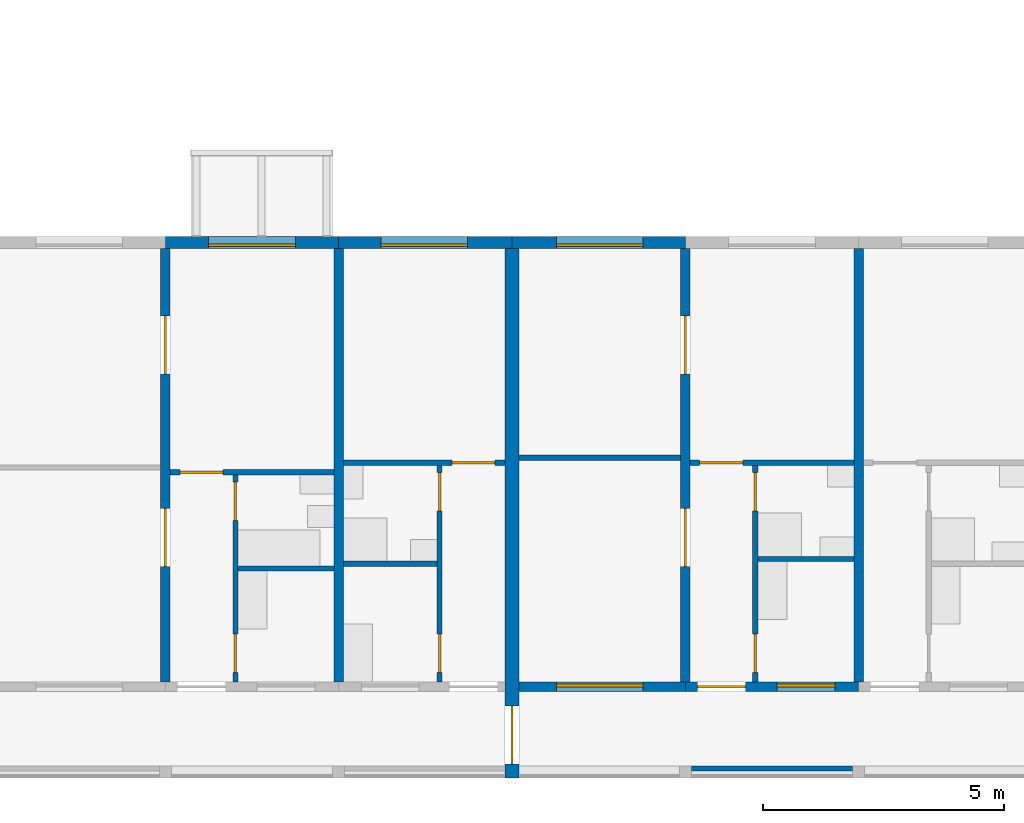
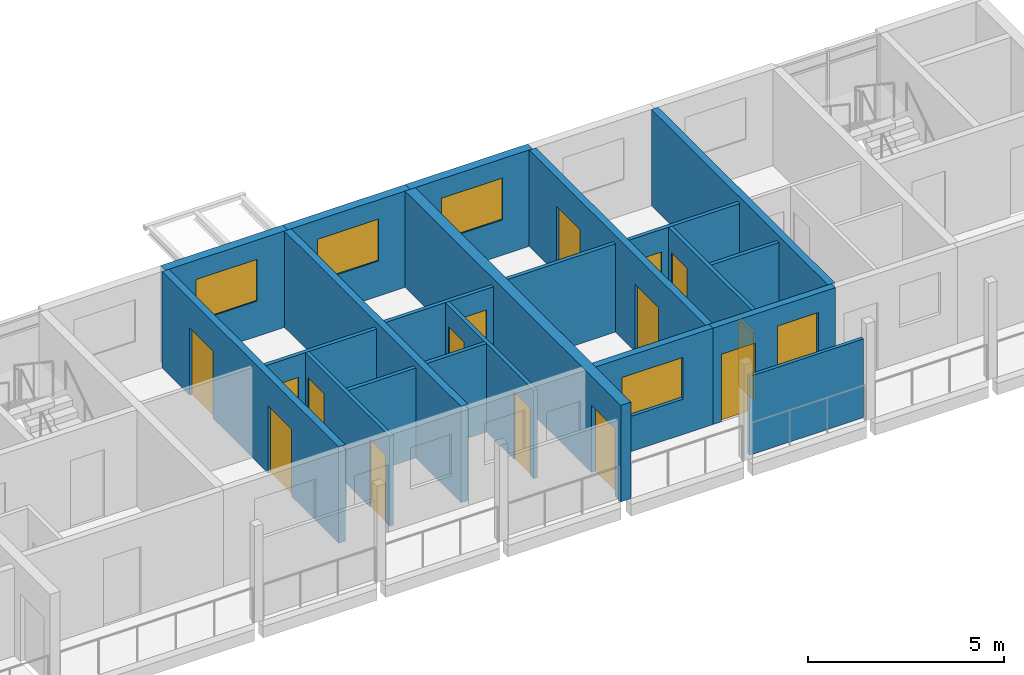
# One storey, part 33 of 64: 21 walls, 15 doors, 5 windows, 20 openings.
"""IFC4 building model written with IfcOpenShell, lengths in metres."""

from ifc_helpers import new_model, si_unit, direction, frame, frame_2d, origin, place, context, subcontext, project, spatial, rectangle, extrude, material, layer, layer_set, type_object, element, fill, save


model = new_model("IFC4")

# Units and contexts
model_context = context("Model", 3, precision=1e-05, world=origin(), true_north=direction((0.0, 1.0)))
body_context = subcontext(model_context, "Body", "Model", "MODEL_VIEW")
ifc_project = project(units=[si_unit("LENGTHUNIT", "METRE"), si_unit("AREAUNIT", "SQUARE_METRE"), si_unit("VOLUMEUNIT", "CUBIC_METRE"), si_unit("PLANEANGLEUNIT", "RADIAN"), si_unit("MASSUNIT", "GRAM", prefix="KILO")], contexts=[model_context])

# Site, building, storey
site_placement = place(None, origin())
site = spatial("IfcSite", under=ifc_project, at=site_placement, CompositionType="ELEMENT")
building_placement = place(site_placement, origin())
building = spatial("IfcBuilding", under=site, at=building_placement, Name="Ridgestep Commons", CompositionType="ELEMENT")
storey_placement = place(building_placement, frame((0.0, 0.0, 33.0)))
storey = spatial("IfcBuildingStorey", under=building, at=storey_placement, Name="L11", CompositionType="ELEMENT", Elevation=33.0)

# Wall, openings, doors
ifc_material_1 = material(Name="Precast concrete C40/50", Category="concrete")
ifc_layer_1 = layer(ifc_material_1, 0.199951171875)
ifc_layer_set_1 = layer_set([ifc_layer_1], Name="Cross wall 200")
wall_type_1 = type_object("IfcWallType", Name="Cross wall 200", PredefinedType="SHEAR", material=ifc_layer_set_1)
wall_1_placement = place(storey_placement, frame((173.199951171875, 13.75, 0.0), z_axis=(0.0, 0.0, 1.0), x_axis=(0.0, 1.0, 0.0)))
wall_1 = element("IfcWall", 1, at=wall_1_placement, inside=storey, type_object=wall_type_1, Name="Cross wall D-11-1732", PredefinedType="SHEAR", context=body_context, shape_type="SweptSolid", body=[
    extrude(rectangle(XDim=9.0, YDim=0.199951171875, at=frame_2d((4.5, 0.0))), origin(), (0.0, 0.0, 1.0), 3.0),
])
opening_1_placement = place(wall_1_placement, frame((2.39990234375, 0.0, 0.0)))
opening_1 = element("IfcOpeningElement", 2, at=opening_1_placement, cuts=wall_1, Name="Opening D2-11b/5", PredefinedType="OPENING", context=body_context, shape_type="SweptSolid", body=[
    extrude(rectangle(XDim=1.199951171875, YDim=2.10009765625, at=frame_2d((0.60009765625, 1.050048828125))), frame((0.0, 0.10986328125, 0.0), z_axis=(0.0, -1.0, 0.0), x_axis=(1.0, 0.0, 0.0)), (0.0, 0.0, 1.0), 0.219970703125),
])
opening_2_placement = place(wall_1_placement, frame((6.39990234375, 0.0, 0.0)))
opening_2 = element("IfcOpeningElement", 3, at=opening_2_placement, cuts=wall_1, Name="Opening D2-11b/6", PredefinedType="OPENING", context=body_context, shape_type="SweptSolid", body=[
    extrude(rectangle(XDim=1.199951171875, YDim=2.10009765625, at=frame_2d((0.60009765625, 1.050048828125))), frame((0.0, 0.10986328125, 0.0), z_axis=(0.0, -1.0, 0.0), x_axis=(1.0, 0.0, 0.0)), (0.0, 0.0, 1.0), 0.219970703125),
])
ifc_material_2 = material(Name="Timber door leaf", Category="wood")
door_type_1 = type_object("IfcDoorType", Name="Double door 1200 x 2100", OperationType="DOUBLE_DOOR_SINGLE_SWING", PredefinedType="DOOR", material=ifc_material_2)
door_1_placement = place(opening_1_placement, origin())
door_1 = element("IfcDoor", 4, at=door_1_placement, inside=storey, type_object=door_type_1, Name="Double door D2-11b/5", OperationType="DOUBLE_DOOR_SINGLE_SWING", OverallHeight=2.10009765625, OverallWidth=1.199951171875, PredefinedType="DOOR", context=body_context, shape_type="SweptSolid", body=[
    extrude(rectangle(XDim=1.199951171875, YDim=2.10009765625, at=frame_2d((0.60009765625, 1.050048828125))), frame((0.0, 0.02490234375, 0.0), z_axis=(0.0, -1.0, 0.0), x_axis=(1.0, 0.0, 0.0)), (0.0, 0.0, 1.0), 0.050048828125),
])
fill(opening_1, door_1)
door_2_placement = place(opening_2_placement, origin())
door_2 = element("IfcDoor", 5, at=door_2_placement, inside=storey, type_object=door_type_1, Name="Double door D2-11b/6", OperationType="DOUBLE_DOOR_SINGLE_SWING", OverallHeight=2.10009765625, OverallWidth=1.199951171875, PredefinedType="DOOR", context=body_context, shape_type="SweptSolid", body=[
    extrude(rectangle(XDim=1.199951171875, YDim=2.10009765625, at=frame_2d((0.60009765625, 1.050048828125))), frame((0.0, 0.02490234375, 0.0), z_axis=(0.0, -1.0, 0.0), x_axis=(1.0, 0.0, 0.0)), (0.0, 0.0, 1.0), 0.050048828125),
])
fill(opening_2, door_2)

# Wall
wall_2_placement = place(storey_placement, frame((176.800048828125, 13.75, 0.0), z_axis=(0.0, 0.0, 1.0), x_axis=(0.0, 1.0, 0.0)))
element("IfcWall", 6, at=wall_2_placement, inside=storey, type_object=wall_type_1, Name="Cross wall D-11-1768", PredefinedType="SHEAR", context=body_context, shape_type="SweptSolid", body=[
    extrude(rectangle(XDim=9.0, YDim=0.199951171875, at=frame_2d((4.5, 0.0))), origin(), (0.0, 0.0, 1.0), 3.0),
])

# Wall, openings, doors
wall_3_placement = place(storey_placement, frame((184.0, 13.75, 0.0), z_axis=(0.0, 0.0, 1.0), x_axis=(0.0, 1.0, 0.0)))
wall_3 = element("IfcWall", 7, at=wall_3_placement, inside=storey, type_object=wall_type_1, Name="Cross wall D-11-1840", PredefinedType="SHEAR", context=body_context, shape_type="SweptSolid", body=[
    extrude(rectangle(XDim=9.0, YDim=0.199951171875, at=frame_2d((4.5, 0.0))), origin(), (0.0, 0.0, 1.0), 3.0),
])
opening_3_placement = place(wall_3_placement, frame((2.39990234375, 0.0, 0.0)))
opening_3 = element("IfcOpeningElement", 8, at=opening_3_placement, cuts=wall_3, Name="Opening D3-11a/5", PredefinedType="OPENING", context=body_context, shape_type="SweptSolid", body=[
    extrude(rectangle(XDim=1.199951171875, YDim=2.10009765625, at=frame_2d((0.60009765625, 1.050048828125))), frame((0.0, 0.10986328125, 0.0), z_axis=(0.0, -1.0, 0.0), x_axis=(1.0, 0.0, 0.0)), (0.0, 0.0, 1.0), 0.219970703125),
])
opening_4_placement = place(wall_3_placement, frame((6.39990234375, 0.0, 0.0)))
opening_4 = element("IfcOpeningElement", 9, at=opening_4_placement, cuts=wall_3, Name="Opening D3-11a/6", PredefinedType="OPENING", context=body_context, shape_type="SweptSolid", body=[
    extrude(rectangle(XDim=1.199951171875, YDim=2.10009765625, at=frame_2d((0.60009765625, 1.050048828125))), frame((0.0, 0.10986328125, 0.0), z_axis=(0.0, -1.0, 0.0), x_axis=(1.0, 0.0, 0.0)), (0.0, 0.0, 1.0), 0.219970703125),
])
door_3_placement = place(opening_3_placement, origin())
door_3 = element("IfcDoor", 10, at=door_3_placement, inside=storey, type_object=door_type_1, Name="Double door D3-11a/5", OperationType="DOUBLE_DOOR_SINGLE_SWING", OverallHeight=2.10009765625, OverallWidth=1.199951171875, PredefinedType="DOOR", context=body_context, shape_type="SweptSolid", body=[
    extrude(rectangle(XDim=1.199951171875, YDim=2.10009765625, at=frame_2d((0.60009765625, 1.050048828125))), frame((0.0, 0.02490234375, 0.0), z_axis=(0.0, -1.0, 0.0), x_axis=(1.0, 0.0, 0.0)), (0.0, 0.0, 1.0), 0.050048828125),
])
fill(opening_3, door_3)
door_4_placement = place(opening_4_placement, origin())
door_4 = element("IfcDoor", 11, at=door_4_placement, inside=storey, type_object=door_type_1, Name="Double door D3-11a/6", OperationType="DOUBLE_DOOR_SINGLE_SWING", OverallHeight=2.10009765625, OverallWidth=1.199951171875, PredefinedType="DOOR", context=body_context, shape_type="SweptSolid", body=[
    extrude(rectangle(XDim=1.199951171875, YDim=2.10009765625, at=frame_2d((0.60009765625, 1.050048828125))), frame((0.0, 0.02490234375, 0.0), z_axis=(0.0, -1.0, 0.0), x_axis=(1.0, 0.0, 0.0)), (0.0, 0.0, 1.0), 0.050048828125),
])
fill(opening_4, door_4)

# Wall
wall_4_placement = place(storey_placement, frame((187.60009765625, 13.75, 0.0), z_axis=(0.0, 0.0, 1.0), x_axis=(0.0, 1.0, 0.0)))
element("IfcWall", 12, at=wall_4_placement, inside=storey, type_object=wall_type_1, Name="Cross wall D-11-1876", PredefinedType="SHEAR", context=body_context, shape_type="SweptSolid", body=[
    extrude(rectangle(XDim=9.0, YDim=0.199951171875, at=frame_2d((4.5, 0.0))), origin(), (0.0, 0.0, 1.0), 3.0),
])

# Wall, opening, door
ifc_material_3 = material(Name="Precast concrete C40/50", Category="concrete")
ifc_layer_2 = layer(ifc_material_3, 0.300048828125)
ifc_layer_set_2 = layer_set([ifc_layer_2], Name="Division wall 300")
wall_type_2 = type_object("IfcWallType", Name="Division wall 300", PredefinedType="SHEAR", material=ifc_layer_set_2)
wall_5_placement = place(storey_placement, frame((180.39990234375, 11.75, 0.0), z_axis=(0.0, 0.0, 1.0), x_axis=(0.0, 1.0, 0.0)))
wall_5 = element("IfcWall", 13, at=wall_5_placement, inside=storey, type_object=wall_type_2, Name="Cross wall D-11-1804", PredefinedType="SHEAR", context=body_context, shape_type="SweptSolid", body=[
    extrude(rectangle(XDim=11.0, YDim=0.300048828125, at=frame_2d((5.5, 0.0))), origin(), (0.0, 0.0, 1.0), 3.0),
])
opening_5_placement = place(wall_5_placement, frame((0.300048828125, 0.0, 0.0)))
opening_5 = element("IfcOpeningElement", 14, at=opening_5_placement, cuts=wall_5, Name="Opening D/11/G1804", PredefinedType="OPENING", context=body_context, shape_type="SweptSolid", body=[
    extrude(rectangle(XDim=1.199951171875, YDim=2.10009765625, at=frame_2d((0.60009765625, 1.050048828125))), frame((0.0, 0.159912109375, 0.0), z_axis=(0.0, -1.0, 0.0), x_axis=(1.0, 0.0, 0.0)), (0.0, 0.0, 1.0), 0.320068359375),
])
ifc_material_4 = material(Name="Steel fire door", Category="steel")
door_type_2 = type_object("IfcDoorType", Name="Division fire door 1200 x 2100 EI 240", OperationType="DOUBLE_DOOR_SINGLE_SWING", PredefinedType="DOOR", material=ifc_material_4)
door_5_placement = place(opening_5_placement, origin())
door_5 = element("IfcDoor", 15, at=door_5_placement, inside=storey, type_object=door_type_2, Name="Division fire door D/11/G1804", OperationType="DOUBLE_DOOR_SINGLE_SWING", OverallHeight=2.10009765625, OverallWidth=1.199951171875, PredefinedType="DOOR", context=body_context, shape_type="SweptSolid", body=[
    extrude(rectangle(XDim=1.199951171875, YDim=2.10009765625, at=frame_2d((0.60009765625, 1.050048828125))), frame((0.0, 0.02490234375, 0.0), z_axis=(0.0, -1.0, 0.0), x_axis=(1.0, 0.0, 0.0)), (0.0, 0.0, 1.0), 0.050048828125),
])
fill(opening_5, door_5)

# Wall, opening, window
ifc_material_5 = material(Name="Precast concrete C40/50", Category="concrete")
ifc_layer_3 = layer(ifc_material_5, 0.25)
ifc_layer_set_3 = layer_set([ifc_layer_3], Name="North facade panel 250")
wall_type_3 = type_object("IfcWallType", Name="North facade panel 250", PredefinedType="SOLIDWALL", material=ifc_layer_set_3)
wall_6_placement = place(storey_placement, frame((173.199951171875, 22.875, 0.0), z_axis=(0.0, 0.0, 1.0), x_axis=(1.0, 0.0, 0.0)))
wall_6 = element("IfcWall", 16, at=wall_6_placement, inside=storey, type_object=wall_type_3, Name="North panel D2T2 L11", PredefinedType="SOLIDWALL", context=body_context, shape_type="SweptSolid", body=[
    extrude(rectangle(XDim=3.60009765625, YDim=0.25, at=frame_2d((1.800048828125, 0.0))), origin(), (0.0, 0.0, 1.0), 3.0),
])
opening_6_placement = place(wall_6_placement, frame((0.89990234375, 0.0, 1.10009765625)))
opening_6 = element("IfcOpeningElement", 17, at=opening_6_placement, cuts=wall_6, Name="Opening W18", PredefinedType="OPENING", context=body_context, shape_type="SweptSolid", body=[
    extrude(rectangle(XDim=1.800048828125, YDim=1.300048828125, at=frame_2d((0.89990234375, 0.64990234375))), frame((0.0, 0.135009765625, 0.0), z_axis=(0.0, -1.0, 0.0), x_axis=(1.0, 0.0, 0.0)), (0.0, 0.0, 1.0), 0.27001953125),
])
ifc_material_6 = material(Name="Aluminium 6063-T6 and glass", Category="aluminium")
window_type_1 = type_object("IfcWindowType", Name="Flat window 1800 x 1300", PartitioningType="DOUBLE_PANEL_VERTICAL", PredefinedType="WINDOW", material=ifc_material_6)
window_1_placement = place(opening_6_placement, origin())
window_1 = element("IfcWindow", 18, at=window_1_placement, inside=storey, type_object=window_type_1, Name="Window D2-11b 4", OverallHeight=1.300048828125, OverallWidth=1.800048828125, PartitioningType="SINGLE_PANEL", PredefinedType="WINDOW", context=body_context, shape_type="SweptSolid", body=[
    extrude(rectangle(XDim=1.800048828125, YDim=1.300048828125, at=frame_2d((0.89990234375, 0.64990234375))), frame((0.0, -0.02490234375, 0.0), z_axis=(0.0, -1.0, 0.0), x_axis=(1.0, 0.0, 0.0)), (0.0, 0.0, 1.0), 0.06005859375),
])
fill(opening_6, window_1)

wall_7_placement = place(storey_placement, frame((176.800048828125, 22.875, 0.0), z_axis=(0.0, 0.0, 1.0), x_axis=(1.0, 0.0, 0.0)))
wall_7 = element("IfcWall", 19, at=wall_7_placement, inside=storey, type_object=wall_type_3, Name="North panel D2T1 L11", PredefinedType="SOLIDWALL", context=body_context, shape_type="SweptSolid", body=[
    extrude(rectangle(XDim=3.599853515625, YDim=0.25, at=frame_2d((1.7998046875, 0.0))), origin(), (0.0, 0.0, 1.0), 3.0),
])
opening_7_placement = place(wall_7_placement, frame((0.875, 0.0, 1.10009765625)))
opening_7 = element("IfcOpeningElement", 20, at=opening_7_placement, cuts=wall_7, Name="Opening W18", PredefinedType="OPENING", context=body_context, shape_type="SweptSolid", body=[
    extrude(rectangle(XDim=1.800048828125, YDim=1.300048828125, at=frame_2d((0.89990234375, 0.64990234375))), frame((0.0, 0.135009765625, 0.0), z_axis=(0.0, -1.0, 0.0), x_axis=(1.0, 0.0, 0.0)), (0.0, 0.0, 1.0), 0.27001953125),
])
window_2_placement = place(opening_7_placement, origin())
window_2 = element("IfcWindow", 21, at=window_2_placement, inside=storey, type_object=window_type_1, Name="Window D2-11a 2", OverallHeight=1.300048828125, OverallWidth=1.800048828125, PartitioningType="SINGLE_PANEL", PredefinedType="WINDOW", context=body_context, shape_type="SweptSolid", body=[
    extrude(rectangle(XDim=1.800048828125, YDim=1.300048828125, at=frame_2d((0.89990234375, 0.64990234375))), frame((0.0, -0.02490234375, 0.0), z_axis=(0.0, -1.0, 0.0), x_axis=(1.0, 0.0, 0.0)), (0.0, 0.0, 1.0), 0.06005859375),
])
fill(opening_7, window_2)

wall_8_placement = place(storey_placement, frame((180.39990234375, 22.875, 0.0), z_axis=(0.0, 0.0, 1.0), x_axis=(1.0, 0.0, 0.0)))
wall_8 = element("IfcWall", 22, at=wall_8_placement, inside=storey, type_object=wall_type_3, Name="North panel D3T1 L11", PredefinedType="SOLIDWALL", context=body_context, shape_type="SweptSolid", body=[
    extrude(rectangle(XDim=3.60009765625, YDim=0.25, at=frame_2d((1.800048828125, 0.0))), origin(), (0.0, 0.0, 1.0), 3.0),
])
opening_8_placement = place(wall_8_placement, frame((0.925048828125, 0.0, 1.10009765625)))
opening_8 = element("IfcOpeningElement", 23, at=opening_8_placement, cuts=wall_8, Name="Opening W18", PredefinedType="OPENING", context=body_context, shape_type="SweptSolid", body=[
    extrude(rectangle(XDim=1.800048828125, YDim=1.300048828125, at=frame_2d((0.89990234375, 0.64990234375))), frame((0.0, 0.135009765625, 0.0), z_axis=(0.0, -1.0, 0.0), x_axis=(1.0, 0.0, 0.0)), (0.0, 0.0, 1.0), 0.27001953125),
])
window_3_placement = place(opening_8_placement, origin())
window_3 = element("IfcWindow", 24, at=window_3_placement, inside=storey, type_object=window_type_1, Name="Window D3-11a 2", OverallHeight=1.300048828125, OverallWidth=1.800048828125, PartitioningType="SINGLE_PANEL", PredefinedType="WINDOW", context=body_context, shape_type="SweptSolid", body=[
    extrude(rectangle(XDim=1.800048828125, YDim=1.300048828125, at=frame_2d((0.89990234375, 0.64990234375))), frame((0.0, -0.02490234375, 0.0), z_axis=(0.0, -1.0, 0.0), x_axis=(1.0, 0.0, 0.0)), (0.0, 0.0, 1.0), 0.06005859375),
])
fill(opening_8, window_3)

# Wall
ifc_material_7 = material(Name="Common brick 110 mm", Category="masonry")
ifc_layer_4 = layer(ifc_material_7, 0.110107421875)
ifc_layer_set_4 = layer_set([ifc_layer_4], Name="Partition 110")
wall_type_4 = type_object("IfcWallType", Name="Partition 110", PredefinedType="PARTITIONING", material=ifc_layer_set_4)
wall_9_placement = place(storey_placement, frame((176.89990234375, 16.205078125, 0.0), z_axis=(0.0, 0.0, 1.0), x_axis=(1.0, 0.0, 0.0)))
element("IfcWall", 25, at=wall_9_placement, inside=storey, type_object=wall_type_4, Name="Partition D2-11a", PredefinedType="PARTITIONING", context=body_context, shape_type="SweptSolid", body=[
    extrude(rectangle(XDim=1.940185546875, YDim=0.110107421875, at=frame_2d((0.97021484375, 0.0))), origin(), (0.0, 0.0, 1.0), 2.75),
])

# Wall, openings, doors
wall_10_placement = place(storey_placement, frame((178.89501953125, 13.75, 0.0), z_axis=(0.0, 0.0, 1.0), x_axis=(0.0, 1.0, 0.0)))
wall_10 = element("IfcWall", 26, at=wall_10_placement, inside=storey, type_object=wall_type_4, Name="Partition D2-11a", PredefinedType="PARTITIONING", context=body_context, shape_type="SweptSolid", body=[
    extrude(rectangle(XDim=4.5, YDim=0.110107421875, at=frame_2d((2.25, 0.0))), origin(), (0.0, 0.0, 1.0), 2.75),
])
opening_9_placement = place(wall_10_placement, frame((0.199951171875, 0.0, 0.0)))
opening_9 = element("IfcOpeningElement", 27, at=opening_9_placement, cuts=wall_10, Name="Opening D2-11a/2", PredefinedType="OPENING", context=body_context, shape_type="SweptSolid", body=[
    extrude(rectangle(XDim=0.800048828125, YDim=2.10009765625, at=frame_2d((0.39990234375, 1.050048828125))), frame((0.0, 0.06494140625, 0.0), z_axis=(0.0, -1.0, 0.0), x_axis=(1.0, 0.0, 0.0)), (0.0, 0.0, 1.0), 0.130126953125),
])
opening_10_placement = place(wall_10_placement, frame((3.550048828125, 0.0, 0.0)))
opening_10 = element("IfcOpeningElement", 28, at=opening_10_placement, cuts=wall_10, Name="Opening D2-11a/3", PredefinedType="OPENING", context=body_context, shape_type="SweptSolid", body=[
    extrude(rectangle(XDim=0.800048828125, YDim=2.10009765625, at=frame_2d((0.39990234375, 1.050048828125))), frame((0.0, 0.06494140625, 0.0), z_axis=(0.0, -1.0, 0.0), x_axis=(1.0, 0.0, 0.0)), (0.0, 0.0, 1.0), 0.130126953125),
])
ifc_material_8 = material(Name="Timber door leaf", Category="wood")
door_type_3 = type_object("IfcDoorType", Name="Internal door 800 x 2100", OperationType="NOTDEFINED", PredefinedType="DOOR", material=ifc_material_8)
door_6_placement = place(opening_9_placement, origin())
door_6 = element("IfcDoor", 29, at=door_6_placement, inside=storey, type_object=door_type_3, Name="Internal door D2-11a/2", OperationType="SINGLE_SWING_LEFT", OverallHeight=2.10009765625, OverallWidth=0.800048828125, PredefinedType="DOOR", context=body_context, shape_type="SweptSolid", body=[
    extrude(rectangle(XDim=0.800048828125, YDim=2.10009765625, at=frame_2d((0.39990234375, 1.050048828125))), frame((0.0, 0.02490234375, 0.0), z_axis=(0.0, -1.0, 0.0), x_axis=(1.0, 0.0, 0.0)), (0.0, 0.0, 1.0), 0.050048828125),
])
fill(opening_9, door_6)
door_7_placement = place(opening_10_placement, origin())
door_7 = element("IfcDoor", 30, at=door_7_placement, inside=storey, type_object=door_type_3, Name="Internal door D2-11a/3", OperationType="SINGLE_SWING_RIGHT", OverallHeight=2.10009765625, OverallWidth=0.800048828125, PredefinedType="DOOR", context=body_context, shape_type="SweptSolid", body=[
    extrude(rectangle(XDim=0.800048828125, YDim=2.10009765625, at=frame_2d((0.39990234375, 1.050048828125))), frame((0.0, 0.02490234375, 0.0), z_axis=(0.0, -1.0, 0.0), x_axis=(1.0, 0.0, 0.0)), (0.0, 0.0, 1.0), 0.050048828125),
])
fill(opening_10, door_7)

# Wall, opening, door
wall_11_placement = place(storey_placement, frame((176.89990234375, 18.304931640625, 0.0), z_axis=(0.0, 0.0, 1.0), x_axis=(1.0, 0.0, 0.0)))
wall_11 = element("IfcWall", 31, at=wall_11_placement, inside=storey, type_object=wall_type_4, Name="Partition D2-11a", PredefinedType="PARTITIONING", context=body_context, shape_type="SweptSolid", body=[
    extrude(rectangle(XDim=3.35009765625, YDim=0.110107421875, at=frame_2d((1.675048828125, 0.0))), origin(), (0.0, 0.0, 1.0), 2.75),
])
opening_11_placement = place(wall_11_placement, frame((2.25, 0.0, 0.0)))
opening_11 = element("IfcOpeningElement", 32, at=opening_11_placement, cuts=wall_11, Name="Opening D2-11a/4", PredefinedType="OPENING", context=body_context, shape_type="SweptSolid", body=[
    extrude(rectangle(XDim=0.89990234375, YDim=2.10009765625, at=frame_2d((0.449951171875, 1.050048828125))), frame((0.0, 0.06494140625, 0.0), z_axis=(0.0, -1.0, 0.0), x_axis=(1.0, 0.0, 0.0)), (0.0, 0.0, 1.0), 0.130126953125),
])
ifc_material_9 = material(Name="Timber door leaf", Category="wood")
door_type_4 = type_object("IfcDoorType", Name="Internal door 900 x 2100", OperationType="NOTDEFINED", PredefinedType="DOOR", material=ifc_material_9)
door_8_placement = place(opening_11_placement, origin())
door_8 = element("IfcDoor", 33, at=door_8_placement, inside=storey, type_object=door_type_4, Name="Internal door D2-11a/4", OperationType="SINGLE_SWING_LEFT", OverallHeight=2.10009765625, OverallWidth=0.89990234375, PredefinedType="DOOR", context=body_context, shape_type="SweptSolid", body=[
    extrude(rectangle(XDim=0.89990234375, YDim=2.10009765625, at=frame_2d((0.449951171875, 1.050048828125))), frame((0.0, 0.02490234375, 0.0), z_axis=(0.0, -1.0, 0.0), x_axis=(1.0, 0.0, 0.0)), (0.0, 0.0, 1.0), 0.050048828125),
])
fill(opening_11, door_8)

# Wall, openings, doors
wall_12_placement = place(storey_placement, frame((174.655029296875, 13.75, 0.0), z_axis=(0.0, 0.0, 1.0), x_axis=(0.0, 1.0, 0.0)))
wall_12 = element("IfcWall", 34, at=wall_12_placement, inside=storey, type_object=wall_type_4, Name="Partition D2-11b", PredefinedType="PARTITIONING", context=body_context, shape_type="SweptSolid", body=[
    extrude(rectangle(XDim=4.300048828125, YDim=0.110107421875, at=frame_2d((2.14990234375, 0.0))), origin(), (0.0, 0.0, 1.0), 2.800048828125),
])
opening_12_placement = place(wall_12_placement, frame((0.199951171875, 0.0, 0.0)))
opening_12 = element("IfcOpeningElement", 35, at=opening_12_placement, cuts=wall_12, Name="Opening D2-11b/2", PredefinedType="OPENING", context=body_context, shape_type="SweptSolid", body=[
    extrude(rectangle(XDim=0.800048828125, YDim=2.10009765625, at=frame_2d((0.39990234375, 1.050048828125))), frame((0.0, 0.06494140625, 0.0), z_axis=(0.0, -1.0, 0.0), x_axis=(1.0, 0.0, 0.0)), (0.0, 0.0, 1.0), 0.130126953125),
])
opening_13_placement = place(wall_12_placement, frame((3.35009765625, 0.0, 0.0)))
opening_13 = element("IfcOpeningElement", 36, at=opening_13_placement, cuts=wall_12, Name="Opening D2-11b/3", PredefinedType="OPENING", context=body_context, shape_type="SweptSolid", body=[
    extrude(rectangle(XDim=0.800048828125, YDim=2.10009765625, at=frame_2d((0.39990234375, 1.050048828125))), frame((0.0, 0.06494140625, 0.0), z_axis=(0.0, -1.0, 0.0), x_axis=(1.0, 0.0, 0.0)), (0.0, 0.0, 1.0), 0.130126953125),
])
door_9_placement = place(opening_12_placement, origin())
door_9 = element("IfcDoor", 37, at=door_9_placement, inside=storey, type_object=door_type_3, Name="Internal door D2-11b/2", OperationType="SINGLE_SWING_RIGHT", OverallHeight=2.10009765625, OverallWidth=0.800048828125, PredefinedType="DOOR", context=body_context, shape_type="SweptSolid", body=[
    extrude(rectangle(XDim=0.800048828125, YDim=2.10009765625, at=frame_2d((0.39990234375, 1.050048828125))), frame((0.0, 0.02490234375, 0.0), z_axis=(0.0, -1.0, 0.0), x_axis=(1.0, 0.0, 0.0)), (0.0, 0.0, 1.0), 0.050048828125),
])
fill(opening_12, door_9)
door_10_placement = place(opening_13_placement, origin())
door_10 = element("IfcDoor", 38, at=door_10_placement, inside=storey, type_object=door_type_3, Name="Internal door D2-11b/3", OperationType="SINGLE_SWING_LEFT", OverallHeight=2.10009765625, OverallWidth=0.800048828125, PredefinedType="DOOR", context=body_context, shape_type="SweptSolid", body=[
    extrude(rectangle(XDim=0.800048828125, YDim=2.10009765625, at=frame_2d((0.39990234375, 1.050048828125))), frame((0.0, 0.02490234375, 0.0), z_axis=(0.0, -1.0, 0.0), x_axis=(1.0, 0.0, 0.0)), (0.0, 0.0, 1.0), 0.050048828125),
])
fill(opening_13, door_10)

# Wall
wall_13_placement = place(storey_placement, frame((174.7099609375, 16.10498046875, 0.0), z_axis=(0.0, 0.0, 1.0), x_axis=(1.0, 0.0, 0.0)))
element("IfcWall", 39, at=wall_13_placement, inside=storey, type_object=wall_type_4, Name="Partition D2-11b", PredefinedType="PARTITIONING", context=body_context, shape_type="SweptSolid", body=[
    extrude(rectangle(XDim=1.989990234375, YDim=0.110107421875, at=frame_2d((0.9951171875, 0.0))), origin(), (0.0, 0.0, 1.0), 2.800048828125),
])

# Wall, opening, door
wall_14_placement = place(storey_placement, frame((173.300048828125, 18.10498046875, 0.0), z_axis=(0.0, 0.0, 1.0), x_axis=(1.0, 0.0, 0.0)))
wall_14 = element("IfcWall", 40, at=wall_14_placement, inside=storey, type_object=wall_type_4, Name="Partition D2-11b", PredefinedType="PARTITIONING", context=body_context, shape_type="SweptSolid", body=[
    extrude(rectangle(XDim=3.39990234375, YDim=0.110107421875, at=frame_2d((1.699951171875, 0.0))), origin(), (0.0, 0.0, 1.0), 2.800048828125),
])
opening_14_placement = place(wall_14_placement, frame((0.199951171875, 0.0, 0.0)))
opening_14 = element("IfcOpeningElement", 41, at=opening_14_placement, cuts=wall_14, Name="Opening D2-11b/4", PredefinedType="OPENING", context=body_context, shape_type="SweptSolid", body=[
    extrude(rectangle(XDim=0.89990234375, YDim=2.10009765625, at=frame_2d((0.449951171875, 1.050048828125))), frame((0.0, 0.06494140625, 0.0), z_axis=(0.0, -1.0, 0.0), x_axis=(1.0, 0.0, 0.0)), (0.0, 0.0, 1.0), 0.130126953125),
])
door_11_placement = place(opening_14_placement, origin())
door_11 = element("IfcDoor", 42, at=door_11_placement, inside=storey, type_object=door_type_4, Name="Internal door D2-11b/4", OperationType="SINGLE_SWING_LEFT", OverallHeight=2.10009765625, OverallWidth=0.89990234375, PredefinedType="DOOR", context=body_context, shape_type="SweptSolid", body=[
    extrude(rectangle(XDim=0.89990234375, YDim=2.10009765625, at=frame_2d((0.449951171875, 1.050048828125))), frame((0.0, 0.02490234375, 0.0), z_axis=(0.0, -1.0, 0.0), x_axis=(1.0, 0.0, 0.0)), (0.0, 0.0, 1.0), 0.050048828125),
])
fill(opening_14, door_11)

# Wall, openings, doors
wall_15_placement = place(storey_placement, frame((185.455078125, 13.75, 0.0), z_axis=(0.0, 0.0, 1.0), x_axis=(0.0, 1.0, 0.0)))
wall_15 = element("IfcWall", 43, at=wall_15_placement, inside=storey, type_object=wall_type_4, Name="Partition D3-11a", PredefinedType="PARTITIONING", context=body_context, shape_type="SweptSolid", body=[
    extrude(rectangle(XDim=4.5, YDim=0.110107421875, at=frame_2d((2.25, 0.0))), origin(), (0.0, 0.0, 1.0), 2.800048828125),
])
opening_15_placement = place(wall_15_placement, frame((0.199951171875, 0.0, 0.0)))
opening_15 = element("IfcOpeningElement", 44, at=opening_15_placement, cuts=wall_15, Name="Opening D3-11a/2", PredefinedType="OPENING", context=body_context, shape_type="SweptSolid", body=[
    extrude(rectangle(XDim=0.800048828125, YDim=2.10009765625, at=frame_2d((0.39990234375, 1.050048828125))), frame((0.0, 0.06494140625, 0.0), z_axis=(0.0, -1.0, 0.0), x_axis=(1.0, 0.0, 0.0)), (0.0, 0.0, 1.0), 0.130126953125),
])
opening_16_placement = place(wall_15_placement, frame((3.550048828125, 0.0, 0.0)))
opening_16 = element("IfcOpeningElement", 45, at=opening_16_placement, cuts=wall_15, Name="Opening D3-11a/3", PredefinedType="OPENING", context=body_context, shape_type="SweptSolid", body=[
    extrude(rectangle(XDim=0.800048828125, YDim=2.10009765625, at=frame_2d((0.39990234375, 1.050048828125))), frame((0.0, 0.06494140625, 0.0), z_axis=(0.0, -1.0, 0.0), x_axis=(1.0, 0.0, 0.0)), (0.0, 0.0, 1.0), 0.130126953125),
])
door_12_placement = place(opening_15_placement, origin())
door_12 = element("IfcDoor", 46, at=door_12_placement, inside=storey, type_object=door_type_3, Name="Internal door D3-11a/2", OperationType="SINGLE_SWING_RIGHT", OverallHeight=2.10009765625, OverallWidth=0.800048828125, PredefinedType="DOOR", context=body_context, shape_type="SweptSolid", body=[
    extrude(rectangle(XDim=0.800048828125, YDim=2.10009765625, at=frame_2d((0.39990234375, 1.050048828125))), frame((0.0, 0.02490234375, 0.0), z_axis=(0.0, -1.0, 0.0), x_axis=(1.0, 0.0, 0.0)), (0.0, 0.0, 1.0), 0.050048828125),
])
fill(opening_15, door_12)
door_13_placement = place(opening_16_placement, origin())
door_13 = element("IfcDoor", 47, at=door_13_placement, inside=storey, type_object=door_type_3, Name="Internal door D3-11a/3", OperationType="SINGLE_SWING_LEFT", OverallHeight=2.10009765625, OverallWidth=0.800048828125, PredefinedType="DOOR", context=body_context, shape_type="SweptSolid", body=[
    extrude(rectangle(XDim=0.800048828125, YDim=2.10009765625, at=frame_2d((0.39990234375, 1.050048828125))), frame((0.0, 0.02490234375, 0.0), z_axis=(0.0, -1.0, 0.0), x_axis=(1.0, 0.0, 0.0)), (0.0, 0.0, 1.0), 0.050048828125),
])
fill(opening_16, door_13)

# Wall
wall_16_placement = place(storey_placement, frame((185.510009765625, 16.304931640625, 0.0), z_axis=(0.0, 0.0, 1.0), x_axis=(1.0, 0.0, 0.0)))
element("IfcWall", 48, at=wall_16_placement, inside=storey, type_object=wall_type_4, Name="Partition D3-11a", PredefinedType="PARTITIONING", context=body_context, shape_type="SweptSolid", body=[
    extrude(rectangle(XDim=1.989990234375, YDim=0.110107421875, at=frame_2d((0.9951171875, 0.0))), origin(), (0.0, 0.0, 1.0), 2.800048828125),
])

# Wall, opening, door
wall_17_placement = place(storey_placement, frame((184.10009765625, 18.304931640625, 0.0), z_axis=(0.0, 0.0, 1.0), x_axis=(1.0, 0.0, 0.0)))
wall_17 = element("IfcWall", 49, at=wall_17_placement, inside=storey, type_object=wall_type_4, Name="Partition D3-11a", PredefinedType="PARTITIONING", context=body_context, shape_type="SweptSolid", body=[
    extrude(rectangle(XDim=3.39990234375, YDim=0.110107421875, at=frame_2d((1.699951171875, 0.0))), origin(), (0.0, 0.0, 1.0), 2.800048828125),
])
opening_17_placement = place(wall_17_placement, frame((0.199951171875, 0.0, 0.0)))
opening_17 = element("IfcOpeningElement", 50, at=opening_17_placement, cuts=wall_17, Name="Opening D3-11a/4", PredefinedType="OPENING", context=body_context, shape_type="SweptSolid", body=[
    extrude(rectangle(XDim=0.89990234375, YDim=2.10009765625, at=frame_2d((0.449951171875, 1.050048828125))), frame((0.0, 0.06494140625, 0.0), z_axis=(0.0, -1.0, 0.0), x_axis=(1.0, 0.0, 0.0)), (0.0, 0.0, 1.0), 0.130126953125),
])
door_14_placement = place(opening_17_placement, origin())
door_14 = element("IfcDoor", 51, at=door_14_placement, inside=storey, type_object=door_type_4, Name="Internal door D3-11a/4", OperationType="SINGLE_SWING_LEFT", OverallHeight=2.10009765625, OverallWidth=0.89990234375, PredefinedType="DOOR", context=body_context, shape_type="SweptSolid", body=[
    extrude(rectangle(XDim=0.89990234375, YDim=2.10009765625, at=frame_2d((0.449951171875, 1.050048828125))), frame((0.0, 0.02490234375, 0.0), z_axis=(0.0, -1.0, 0.0), x_axis=(1.0, 0.0, 0.0)), (0.0, 0.0, 1.0), 0.050048828125),
])
fill(opening_17, door_14)

# Walls
wall_18_placement = place(storey_placement, frame((180.550048828125, 18.405029296875, 0.0), z_axis=(0.0, 0.0, 1.0), x_axis=(1.0, 0.0, 0.0)))
element("IfcWall", 52, at=wall_18_placement, inside=storey, type_object=wall_type_4, Name="Partition D3-11a", PredefinedType="PARTITIONING", context=body_context, shape_type="SweptSolid", body=[
    extrude(rectangle(XDim=3.349853515625, YDim=0.110107421875, at=frame_2d((1.6748046875, 0.0))), origin(), (0.0, 0.0, 1.0), 2.75),
])
ifc_material_10 = material(Name="Precast concrete C30/37", Category="concrete")
ifc_layer_5 = layer(ifc_material_10, 0.10009765625)
ifc_layer_set_5 = layer_set([ifc_layer_5], Name="Perforated gallery screen 3350 x 2450 x 100")
wall_type_5 = type_object("IfcWallType", Name="Perforated gallery screen 3350 x 2450 x 100", PredefinedType="SOLIDWALL", material=ifc_layer_set_5)
wall_19_placement = place(storey_placement, frame((184.125, 11.949951171875, 0.0), z_axis=(0.0, 0.0, 1.0), x_axis=(1.0, 0.0, 0.0)))
element("IfcWall", 53, at=wall_19_placement, inside=storey, type_object=wall_type_5, Name="Gallery screen D3T2 11", PredefinedType="SOLIDWALL", context=body_context, shape_type="SweptSolid", body=[
    extrude(rectangle(XDim=3.35009765625, YDim=0.10009765625, at=frame_2d((1.675048828125, 0.0))), origin(), (0.0, 0.0, 1.0), 2.449951171875),
])

# Wall, opening, window
ifc_material_11 = material(Name="Precast concrete C40/50", Category="concrete")
ifc_layer_6 = layer(ifc_material_11, 0.199951171875)
ifc_layer_set_6 = layer_set([ifc_layer_6], Name="South facade panel 200")
wall_type_6 = type_object("IfcWallType", Name="South facade panel 200", PredefinedType="SOLIDWALL", material=ifc_layer_set_6)
wall_20_placement = place(storey_placement, frame((180.550048828125, 13.64990234375, 0.0), z_axis=(0.0, 0.0, 1.0), x_axis=(1.0, 0.0, 0.0)))
wall_20 = element("IfcWall", 54, at=wall_20_placement, inside=storey, type_object=wall_type_6, Name="South panel D3T1 L11", PredefinedType="SOLIDWALL", context=body_context, shape_type="SweptSolid", body=[
    extrude(rectangle(XDim=3.449951171875, YDim=0.199951171875, at=frame_2d((1.72509765625, 0.0))), origin(), (0.0, 0.0, 1.0), 3.0),
])
opening_18_placement = place(wall_20_placement, frame((0.77490234375, 0.0, 1.10009765625)))
opening_18 = element("IfcOpeningElement", 55, at=opening_18_placement, cuts=wall_20, Name="Opening W18", PredefinedType="OPENING", context=body_context, shape_type="SweptSolid", body=[
    extrude(rectangle(XDim=1.800048828125, YDim=1.300048828125, at=frame_2d((0.89990234375, 0.64990234375))), frame((0.0, 0.10986328125, 0.0), z_axis=(0.0, -1.0, 0.0), x_axis=(1.0, 0.0, 0.0)), (0.0, 0.0, 1.0), 0.219970703125),
])
window_4_placement = place(opening_18_placement, origin())
window_4 = element("IfcWindow", 56, at=window_4_placement, inside=storey, type_object=window_type_1, Name="Window D3-11a 1", OverallHeight=1.300048828125, OverallWidth=1.800048828125, PartitioningType="SINGLE_PANEL", PredefinedType="WINDOW", context=body_context, shape_type="SweptSolid", body=[
    extrude(rectangle(XDim=1.800048828125, YDim=1.300048828125, at=frame_2d((0.89990234375, 0.64990234375))), frame((0.0, 0.06005859375, 0.0), z_axis=(0.0, -1.0, 0.0), x_axis=(1.0, 0.0, 0.0)), (0.0, 0.0, 1.0), 0.06005859375),
])
fill(opening_18, window_4)

# Wall, openings, door, window
wall_21_placement = place(storey_placement, frame((184.0, 13.64990234375, 0.0), z_axis=(0.0, 0.0, 1.0), x_axis=(1.0, 0.0, 0.0)))
wall_21 = element("IfcWall", 57, at=wall_21_placement, inside=storey, type_object=wall_type_6, Name="South panel D3T2 L11", PredefinedType="SOLIDWALL", context=body_context, shape_type="SweptSolid", body=[
    extrude(rectangle(XDim=3.60009765625, YDim=0.199951171875, at=frame_2d((1.800048828125, 0.0))), origin(), (0.0, 0.0, 1.0), 3.0),
])
opening_19_placement = place(wall_21_placement, frame((1.905029296875, 0.0, 1.10009765625)))
opening_19 = element("IfcOpeningElement", 58, at=opening_19_placement, cuts=wall_21, Name="Opening W08", PredefinedType="OPENING", context=body_context, shape_type="SweptSolid", body=[
    extrude(rectangle(XDim=1.199951171875, YDim=1.300048828125, at=frame_2d((0.60009765625, 0.64990234375))), frame((0.0, 0.10986328125, 0.0), z_axis=(0.0, -1.0, 0.0), x_axis=(1.0, 0.0, 0.0)), (0.0, 0.0, 1.0), 0.219970703125),
])
opening_20_placement = place(wall_21_placement, frame((0.25, 0.0, 0.0)))
opening_20 = element("IfcOpeningElement", 59, at=opening_20_placement, cuts=wall_21, Name="Opening D3-11a/1", PredefinedType="OPENING", context=body_context, shape_type="SweptSolid", body=[
    extrude(rectangle(XDim=1.0, YDim=2.10009765625, at=frame_2d((0.5, 1.050048828125))), frame((0.0, 0.10986328125, 0.0), z_axis=(0.0, -1.0, 0.0), x_axis=(1.0, 0.0, 0.0)), (0.0, 0.0, 1.0), 0.219970703125),
])
ifc_material_12 = material(Name="Timber door leaf", Category="wood")
door_type_5 = type_object("IfcDoorType", Name="Flat entrance door 1000 x 2100 FD30S", OperationType="NOTDEFINED", PredefinedType="DOOR", material=ifc_material_12)
door_15_placement = place(opening_20_placement, origin())
door_15 = element("IfcDoor", 60, at=door_15_placement, inside=storey, type_object=door_type_5, Name="Flat entrance door D3-11a/1", OperationType="SINGLE_SWING_LEFT", OverallHeight=2.10009765625, OverallWidth=1.0, PredefinedType="DOOR", context=body_context, shape_type="SweptSolid", body=[
    extrude(rectangle(XDim=1.0, YDim=2.10009765625, at=frame_2d((0.5, 1.050048828125))), frame((0.0, 0.02490234375, 0.0), z_axis=(0.0, -1.0, 0.0), x_axis=(1.0, 0.0, 0.0)), (0.0, 0.0, 1.0), 0.050048828125),
])
fill(opening_20, door_15)
ifc_material_13 = material(Name="Aluminium 6063-T6 and glass", Category="aluminium")
window_type_2 = type_object("IfcWindowType", Name="Flat window 1200 x 1300", PartitioningType="SINGLE_PANEL", PredefinedType="WINDOW", material=ifc_material_13)
window_5_placement = place(opening_19_placement, origin())
window_5 = element("IfcWindow", 61, at=window_5_placement, inside=storey, type_object=window_type_2, Name="Window D3-11a 3", OverallHeight=1.300048828125, OverallWidth=1.199951171875, PartitioningType="SINGLE_PANEL", PredefinedType="WINDOW", context=body_context, shape_type="SweptSolid", body=[
    extrude(rectangle(XDim=1.199951171875, YDim=1.300048828125, at=frame_2d((0.60009765625, 0.64990234375))), frame((0.0, 0.06005859375, 0.0), z_axis=(0.0, -1.0, 0.0), x_axis=(1.0, 0.0, 0.0)), (0.0, 0.0, 1.0), 0.06005859375),
])
fill(opening_19, window_5)

save(model, "model.ifc")
